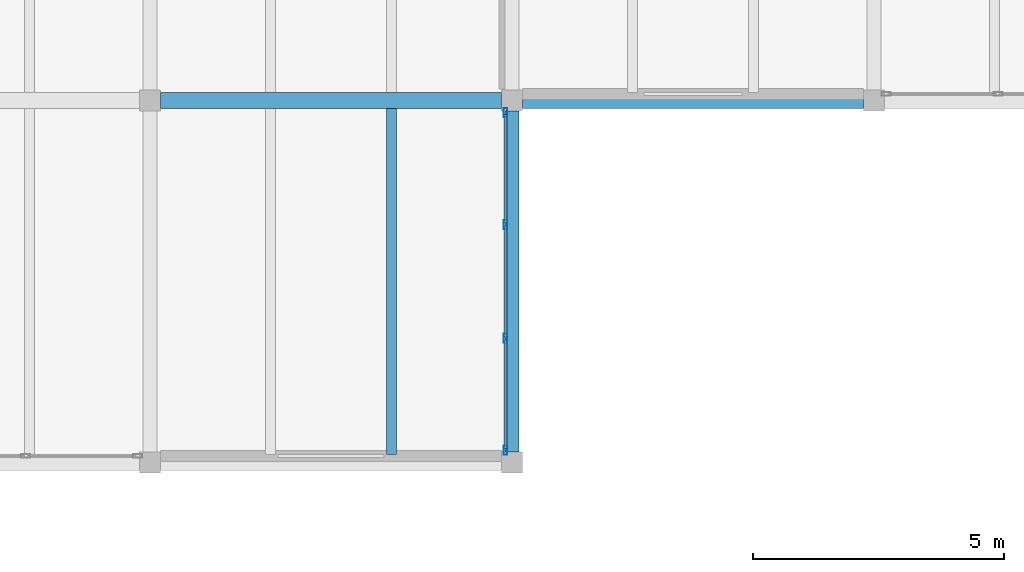
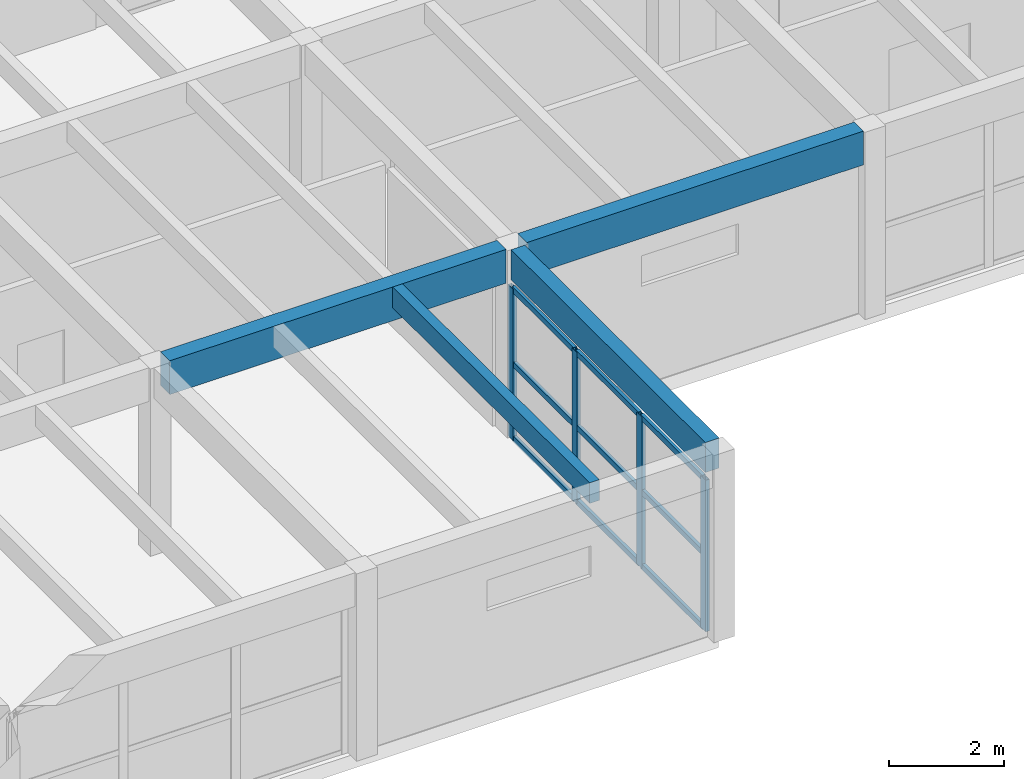
# One storey, part 20 of 68: 13 members, 4 beams, 1 element without a shape of its own.
"""IFC4 building model written with IfcOpenShell, lengths in metres."""

from ifc_helpers import new_model, si_unit, direction, frame, origin, origin_2d, place, context, subcontext, project, spatial, rectangle, hollow_rectangle, extrude, material, material_profile, profile_set, type_object, element, aggregate, save


model = new_model("IFC4")

# Units and contexts
model_context = context("Model", 3, precision=1e-05, world=origin(), true_north=direction((0.0, 1.0)))
body_context = subcontext(model_context, "Body", "Model", "MODEL_VIEW")
ifc_project = project(units=[si_unit("LENGTHUNIT", "METRE"), si_unit("AREAUNIT", "SQUARE_METRE"), si_unit("VOLUMEUNIT", "CUBIC_METRE"), si_unit("PLANEANGLEUNIT", "RADIAN"), si_unit("MASSUNIT", "GRAM", prefix="KILO")], contexts=[model_context])

# Site, building, storey
site_placement = place(None, origin())
site = spatial("IfcSite", under=ifc_project, at=site_placement, CompositionType="ELEMENT")
building_placement = place(site_placement, origin())
building = spatial("IfcBuilding", under=site, at=building_placement, Name="Bramvelor Terrace Health Centre", CompositionType="ELEMENT")
storey_placement = place(building_placement, frame((0.0, 0.0, 9.300048828125)))
storey = spatial("IfcBuildingStorey", under=building, at=storey_placement, Name="L03", CompositionType="ELEMENT", Elevation=9.300048828125)

# Beams
ifc_material_1 = material(Name="Glulam GL28h", Category="wood")
ifc_material_profile_1 = material_profile(ifc_material_1, rectangle(XDim=0.280029296875, YDim=0.639892578125, at=origin_2d()), Name="GL 280x640")
ifc_profile_set_1 = profile_set([ifc_material_profile_1], Name="Glulam GL28h")
beam_type_1 = type_object("IfcBeamType", Name="BM-GL-G640", PredefinedType="BEAM", material=ifc_profile_set_1)
beam_1_placement = place(storey_placement, frame((115.199951171875, 43.409912109375, 3.669921875), z_axis=(0.0, 1.0, 0.0), x_axis=(-1.0, 0.0, 0.0)))
element("IfcBeam", 1, at=beam_1_placement, inside=storey, type_object=beam_type_1, Name="L03 Floor Girder", PredefinedType="BEAM", context=body_context, shape_type="SweptSolid", body=[
    extrude(rectangle(XDim=0.280029296875, YDim=0.639892578125, at=origin_2d()), origin(), (0.0, 0.0, 1.0), 6.780029296875),
])
ifc_material_2 = material(Name="Glulam GL28h", Category="wood")
ifc_material_profile_2 = material_profile(ifc_material_2, rectangle(XDim=0.320068359375, YDim=0.719970703125, at=origin_2d()), Name="GL 320x720")
ifc_profile_set_2 = profile_set([ifc_material_profile_2], Name="Glulam GL28h")
beam_type_2 = type_object("IfcBeamType", Name="BM-GL-G720", PredefinedType="BEAM", material=ifc_profile_set_2)
for number, where, z_axis, x_axis, name in (
    (2, (108.2099609375, 50.39990234375, 3.6298828125), (1.0, 0.0, 0.0), (0.0, 1.0, 0.0), "L03 Floor Girder"),
    (3, (115.409912109375, 50.39990234375, 3.6298828125), (1.0, 0.0, 0.0), (0.0, 1.0, 0.0), "L03 Floor Girder"),
):
    element("IfcBeam", number, at=place(storey_placement, frame(where, z_axis=z_axis, x_axis=x_axis)), inside=storey, type_object=beam_type_2, Name=name, PredefinedType="BEAM", context=body_context, shape_type="SweptSolid", body=[
        extrude(rectangle(XDim=0.320068359375, YDim=0.719970703125, at=origin_2d()), origin(), (0.0, 0.0, 1.0), 6.780029296875),
    ])
ifc_material_3 = material(Name="Glulam GL28h", Category="wood")
ifc_material_profile_3 = material_profile(ifc_material_3, rectangle(XDim=0.199951171875, YDim=0.43994140625, at=origin_2d()), Name="GL 200x440")
ifc_profile_set_3 = profile_set([ifc_material_profile_3], Name="Glulam GL28h")
beam_type_3 = type_object("IfcBeamType", Name="BM-GL-J440", PredefinedType="JOIST", material=ifc_profile_set_3)
beam_2_placement = place(storey_placement, frame((112.800048828125, 43.360107421875, 3.77001953125), z_axis=(0.0, 1.0, 0.0), x_axis=(-1.0, 0.0, 0.0)))
element("IfcBeam", 4, at=beam_2_placement, inside=storey, type_object=beam_type_3, Name="L03 Secondary Floor Joist", PredefinedType="JOIST", context=body_context, shape_type="SweptSolid", body=[
    extrude(rectangle(XDim=0.199951171875, YDim=0.43994140625, at=origin_2d()), origin(), (0.0, 0.0, 1.0), 6.8798828125),
])

# Curtain wall, members
ifc_material_4 = material(Name="Anodized aluminium and double low-E glass", Category="aluminium")
curtain_wall_type = type_object("IfcCurtainWallType", Name="CW-SYS-27", PredefinedType="NOTDEFINED", material=ifc_material_4)
curtain_wall_placement = place(storey_placement, origin())
curtain_wall = element("IfcCurtainWall", 5, at=curtain_wall_placement, inside=storey, type_object=curtain_wall_type, Name="L03 Unitized Curtain Wall 172", PredefinedType="NOTDEFINED")
ifc_material_5 = material(Name="Anodized aluminium 6063-T6", Category="aluminium")
ifc_material_profile_4 = material_profile(ifc_material_5, hollow_rectangle(XDim=0.074951171875, YDim=0.179931640625, WallThickness=0.00341796875, at=origin_2d()), Name="ALU-MUL 75x180x3.5")
ifc_profile_set_4 = profile_set([ifc_material_profile_4], Name="Anodized aluminium 6063-T6")
member_type_1 = type_object("IfcMemberType", Name="CW-MUL-65x180", PredefinedType="MULLION", material=ifc_profile_set_4)
member_1_placement = place(storey_placement, frame((115.070068359375, 50.157470703125, 0.0), z_axis=(0.0, 0.0, 1.0), x_axis=(1.0, 0.0, 0.0)))
member_1 = element("IfcMember", 6, at=member_1_placement, type_object=member_type_1, Name="CW-27 mullion 1", PredefinedType="MULLION", context=body_context, shape_type="SweptSolid", body=[
    extrude(hollow_rectangle(XDim=0.074951171875, YDim=0.179931640625, WallThickness=0.00341796875, at=origin_2d()), origin(), (0.0, 0.0, 1.0), 3.22998046875),
])
member_2_placement = place(storey_placement, frame((115.070068359375, 47.931640625, 0.0), z_axis=(0.0, 0.0, 1.0), x_axis=(1.0, 0.0, 0.0)))
member_2 = element("IfcMember", 7, at=member_2_placement, type_object=member_type_1, Name="CW-27 mullion 2", PredefinedType="MULLION", context=body_context, shape_type="SweptSolid", body=[
    extrude(hollow_rectangle(XDim=0.074951171875, YDim=0.179931640625, WallThickness=0.00341796875, at=origin_2d()), origin(), (0.0, 0.0, 1.0), 3.22998046875),
])
member_3_placement = place(storey_placement, frame((115.070068359375, 45.668212890625, 0.0), z_axis=(0.0, 0.0, 1.0), x_axis=(1.0, 0.0, 0.0)))
member_3 = element("IfcMember", 8, at=member_3_placement, type_object=member_type_1, Name="CW-27 mullion 3", PredefinedType="MULLION", context=body_context, shape_type="SweptSolid", body=[
    extrude(hollow_rectangle(XDim=0.074951171875, YDim=0.179931640625, WallThickness=0.00341796875, at=origin_2d()), origin(), (0.0, 0.0, 1.0), 3.22998046875),
])
member_4_placement = place(storey_placement, frame((115.070068359375, 43.4423828125, 0.0), z_axis=(0.0, 0.0, 1.0), x_axis=(1.0, 0.0, 0.0)))
member_4 = element("IfcMember", 9, at=member_4_placement, type_object=member_type_1, Name="CW-27 mullion 4", PredefinedType="MULLION", context=body_context, shape_type="SweptSolid", body=[
    extrude(hollow_rectangle(XDim=0.074951171875, YDim=0.179931640625, WallThickness=0.00341796875, at=origin_2d()), origin(), (0.0, 0.0, 1.0), 3.22998046875),
])
ifc_material_6 = material(Name="Anodized aluminium 6063-T6", Category="aluminium")
ifc_material_profile_5 = material_profile(ifc_material_6, hollow_rectangle(XDim=0.06494140625, YDim=0.1201171875, WallThickness=0.0029296875, at=origin_2d()), Name="ALU-TRN 65x120x3.0")
ifc_profile_set_5 = profile_set([ifc_material_profile_5], Name="Anodized aluminium 6063-T6")
member_type_2 = type_object("IfcMemberType", Name="CW-TRN-65x150", PredefinedType="USERDEFINED", material=ifc_profile_set_5)
member_5_placement = place(storey_placement, frame((115.070068359375, 50.1201171875, 0.032470703125), z_axis=(0.0, -1.0, 0.0), x_axis=(1.0, 0.0, 0.0)))
member_5 = element("IfcMember", 10, at=member_5_placement, type_object=member_type_2, Name="CW-27 transom 1.1", ObjectType="TRANSOM", PredefinedType="USERDEFINED", context=body_context, shape_type="SweptSolid", body=[
    extrude(hollow_rectangle(XDim=0.06494140625, YDim=0.1201171875, WallThickness=0.0029296875, at=origin_2d()), origin(), (0.0, 0.0, 1.0), 2.15087890625),
])
member_6_placement = place(storey_placement, frame((115.070068359375, 50.1201171875, 1.614990234375), z_axis=(0.0, -1.0, 0.0), x_axis=(1.0, 0.0, 0.0)))
member_6 = element("IfcMember", 11, at=member_6_placement, type_object=member_type_2, Name="CW-27 transom 1.2", ObjectType="TRANSOM", PredefinedType="USERDEFINED", context=body_context, shape_type="SweptSolid", body=[
    extrude(hollow_rectangle(XDim=0.06494140625, YDim=0.1201171875, WallThickness=0.0029296875, at=origin_2d()), origin(), (0.0, 0.0, 1.0), 2.15087890625),
])
member_7_placement = place(storey_placement, frame((115.070068359375, 50.1201171875, 3.197509765625), z_axis=(0.0, -1.0, 0.0), x_axis=(1.0, 0.0, 0.0)))
member_7 = element("IfcMember", 12, at=member_7_placement, type_object=member_type_2, Name="CW-27 transom 1.3", ObjectType="TRANSOM", PredefinedType="USERDEFINED", context=body_context, shape_type="SweptSolid", body=[
    extrude(hollow_rectangle(XDim=0.06494140625, YDim=0.1201171875, WallThickness=0.0029296875, at=origin_2d()), origin(), (0.0, 0.0, 1.0), 2.15087890625),
])
member_8_placement = place(storey_placement, frame((115.070068359375, 47.894287109375, 0.032470703125), z_axis=(0.0, -1.0, 0.0), x_axis=(1.0, 0.0, 0.0)))
member_8 = element("IfcMember", 13, at=member_8_placement, type_object=member_type_2, Name="CW-27 transom 2.1", ObjectType="TRANSOM", PredefinedType="USERDEFINED", context=body_context, shape_type="SweptSolid", body=[
    extrude(hollow_rectangle(XDim=0.06494140625, YDim=0.1201171875, WallThickness=0.0029296875, at=origin_2d()), origin(), (0.0, 0.0, 1.0), 2.1884765625),
])
member_9_placement = place(storey_placement, frame((115.070068359375, 47.894287109375, 1.614990234375), z_axis=(0.0, -1.0, 0.0), x_axis=(1.0, 0.0, 0.0)))
member_9 = element("IfcMember", 14, at=member_9_placement, type_object=member_type_2, Name="CW-27 transom 2.2", ObjectType="TRANSOM", PredefinedType="USERDEFINED", context=body_context, shape_type="SweptSolid", body=[
    extrude(hollow_rectangle(XDim=0.06494140625, YDim=0.1201171875, WallThickness=0.0029296875, at=origin_2d()), origin(), (0.0, 0.0, 1.0), 2.1884765625),
])
member_10_placement = place(storey_placement, frame((115.070068359375, 47.894287109375, 3.197509765625), z_axis=(0.0, -1.0, 0.0), x_axis=(1.0, 0.0, 0.0)))
member_10 = element("IfcMember", 15, at=member_10_placement, type_object=member_type_2, Name="CW-27 transom 2.3", ObjectType="TRANSOM", PredefinedType="USERDEFINED", context=body_context, shape_type="SweptSolid", body=[
    extrude(hollow_rectangle(XDim=0.06494140625, YDim=0.1201171875, WallThickness=0.0029296875, at=origin_2d()), origin(), (0.0, 0.0, 1.0), 2.1884765625),
])
member_11_placement = place(storey_placement, frame((115.070068359375, 45.630859375, 0.032470703125), z_axis=(0.0, -1.0, 0.0), x_axis=(1.0, 0.0, 0.0)))
member_11 = element("IfcMember", 16, at=member_11_placement, type_object=member_type_2, Name="CW-27 transom 3.1", ObjectType="TRANSOM", PredefinedType="USERDEFINED", context=body_context, shape_type="SweptSolid", body=[
    extrude(hollow_rectangle(XDim=0.06494140625, YDim=0.1201171875, WallThickness=0.0029296875, at=origin_2d()), origin(), (0.0, 0.0, 1.0), 2.15087890625),
])
member_12_placement = place(storey_placement, frame((115.070068359375, 45.630859375, 1.614990234375), z_axis=(0.0, -1.0, 0.0), x_axis=(1.0, 0.0, 0.0)))
member_12 = element("IfcMember", 17, at=member_12_placement, type_object=member_type_2, Name="CW-27 transom 3.2", ObjectType="TRANSOM", PredefinedType="USERDEFINED", context=body_context, shape_type="SweptSolid", body=[
    extrude(hollow_rectangle(XDim=0.06494140625, YDim=0.1201171875, WallThickness=0.0029296875, at=origin_2d()), origin(), (0.0, 0.0, 1.0), 2.15087890625),
])
member_13_placement = place(storey_placement, frame((115.070068359375, 45.630859375, 3.197509765625), z_axis=(0.0, -1.0, 0.0), x_axis=(1.0, 0.0, 0.0)))
member_13 = element("IfcMember", 18, at=member_13_placement, type_object=member_type_2, Name="CW-27 transom 3.3", ObjectType="TRANSOM", PredefinedType="USERDEFINED", context=body_context, shape_type="SweptSolid", body=[
    extrude(hollow_rectangle(XDim=0.06494140625, YDim=0.1201171875, WallThickness=0.0029296875, at=origin_2d()), origin(), (0.0, 0.0, 1.0), 2.15087890625),
])
aggregate(curtain_wall, [member_1, member_2, member_3, member_4, member_5, member_6, member_7, member_8, member_9, member_10, member_11, member_12, member_13])

save(model, "model.ifc")
